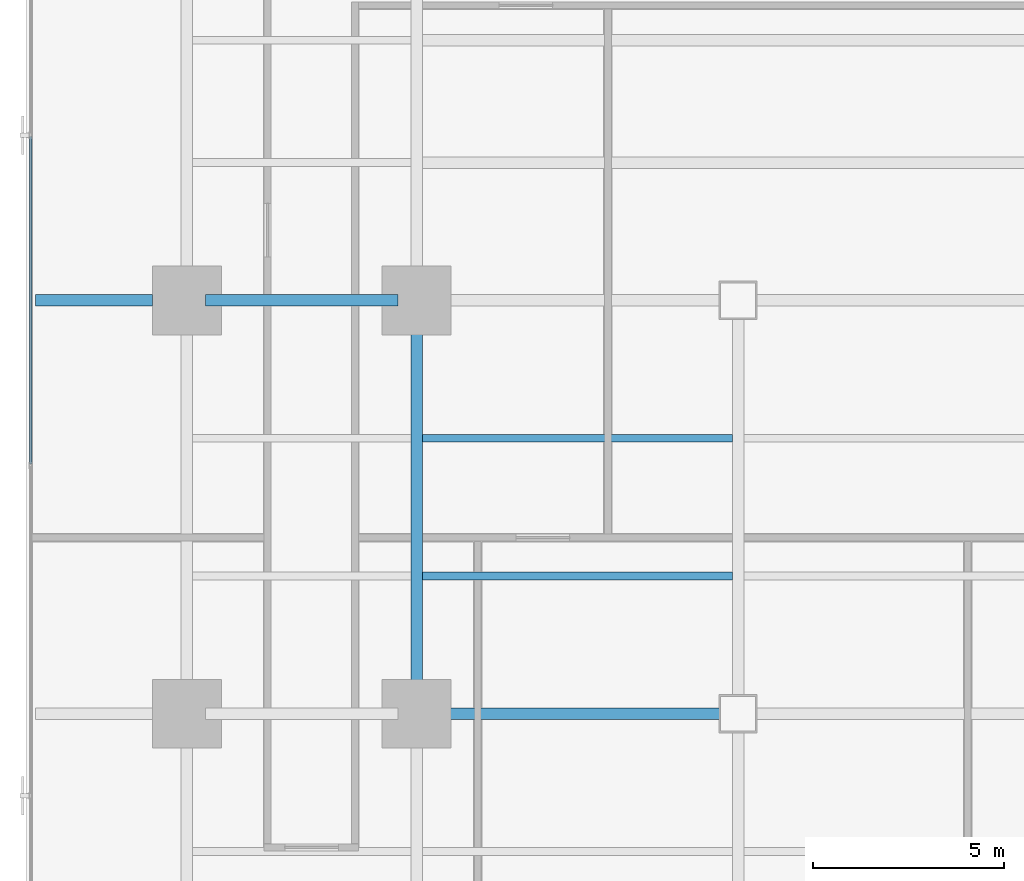
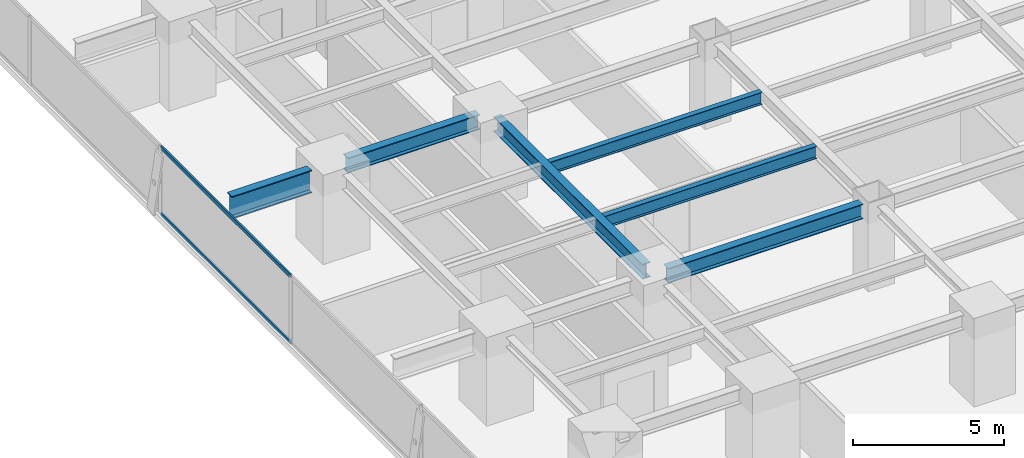
# One storey, part 8 of 33: 6 beams, 2 members, 1 element without a shape of its own.
"""IFC4 building model written with IfcOpenShell, lengths in metres."""

import ifcopenshell
import ifcopenshell.guid

model = None  # the IFC model being written
_history = None  # IfcOwnerHistory: only IFC2X3 demands one
_inside = {}  # id of a spatial element -> (the spatial element, [elements in it])
_under = {}  # id of a project, library or spatial element -> (it, [spatial elements below it])
_declared = {}  # id of a project -> (the project, [libraries it declares])
_typed = {}  # id of a type object -> (the type object, [elements of that type])
_made_of = {}  # id of a material, layer set ... -> (it, [elements and type objects made of it])


def new_model(schema):
    """Start an empty IFC model of exactly this schema.

    Asked for "IFC4X3", IfcOpenShell would pick the latest addendum, in which some entities
    have other attributes; the version numbers below select the first issue.
    IFC2X3 requires an IfcOwnerHistory on every rooted entity: one is made here for all.
    """
    global model, _history
    if schema == "IFC4X3":
        model = ifcopenshell.file(schema_version=(4, 3, 0, 0))
    else:
        model = ifcopenshell.file(schema=schema)
    _inside.clear()
    _under.clear()
    _declared.clear()
    _typed.clear()
    _made_of.clear()
    _history = None
    if model.schema == "IFC2X3":
        org = make("IfcOrganization", Name="unknown")
        user = make(
            "IfcPersonAndOrganization",
            ThePerson=make("IfcPerson", FamilyName="unknown"),
            TheOrganization=org,
        )
        app = make(
            "IfcApplication",
            ApplicationDeveloper=org,
            Version="unknown",
            ApplicationFullName="unknown",
            ApplicationIdentifier="unknown",
        )
        _history = make(
            "IfcOwnerHistory",
            OwningUser=user,
            OwningApplication=app,
            ChangeAction="ADDED",
            CreationDate=0,
        )
    return model


def make(cls, **values):
    """One entity of the class cls with the attributes given. An attribute that is None is left unset."""
    return model.create_entity(
        cls, **{name: value for name, value in values.items() if value is not None}
    )


def rooted(cls, **values):
    """An entity with a GlobalId (a new one), such as an element, a storey or a relation."""
    return make(cls, GlobalId=ifcopenshell.guid.new(), OwnerHistory=_history, **values)


def si_unit(unit_type, name, prefix=None):
    """IfcSIUnit, for example si_unit("LENGTHUNIT", "METRE", prefix="MILLI")."""
    return make("IfcSIUnit", UnitType=unit_type, Prefix=prefix, Name=name)


def assignment(units):
    """IfcUnitAssignment: the units of a project."""
    return None if units is None else make("IfcUnitAssignment", Units=units)


def point(xyz):
    """IfcCartesianPoint."""
    return None if xyz is None else make("IfcCartesianPoint", Coordinates=xyz)


def direction(xyz):
    """IfcDirection."""
    return None if xyz is None else make("IfcDirection", DirectionRatios=xyz)


def frame(location, z_axis=None, x_axis=None):
    """IfcAxis2Placement3D, a coordinate frame: its origin and axes. An axis left out is left unset."""
    return make(
        "IfcAxis2Placement3D",
        Location=point(location),
        Axis=direction(z_axis),
        RefDirection=direction(x_axis),
    )


def frame_2d(location, x_axis=None):
    """IfcAxis2Placement2D, a coordinate frame in the plane: its origin and x axis."""
    return make(
        "IfcAxis2Placement2D", Location=point(location), RefDirection=direction(x_axis)
    )


def origin():
    """The frame at (0, 0, 0) with its axes left unset."""
    return frame((0.0, 0.0, 0.0))


def origin_2d():
    """The frame at (0, 0) in the plane with its x axis left unset."""
    return frame_2d((0.0, 0.0))


def place(relative_to, where):
    """IfcLocalPlacement: puts the frame where relative to a parent placement (None: the world)."""
    return make(
        "IfcLocalPlacement", PlacementRelTo=relative_to, RelativePlacement=where
    )


def context(
    kind, dimensions, precision=None, world=None, true_north=None, identifier=None
):
    """IfcGeometricRepresentationContext, for example the 3D "Model" context."""
    return make(
        "IfcGeometricRepresentationContext",
        ContextIdentifier=identifier,
        ContextType=kind,
        CoordinateSpaceDimension=dimensions,
        Precision=precision,
        WorldCoordinateSystem=world,
        TrueNorth=true_north,
    )


def subcontext(parent, identifier, kind, view, scale=None):
    """IfcGeometricRepresentationSubContext, for example "Body" below "Model"."""
    return make(
        "IfcGeometricRepresentationSubContext",
        ContextIdentifier=identifier,
        ContextType=kind,
        ParentContext=parent,
        TargetScale=scale,
        TargetView=view,
    )


def project(units=None, contexts=None):
    """IfcProject with its units and contexts."""
    return rooted(
        "IfcProject",
        Name="project",
        RepresentationContexts=contexts,
        UnitsInContext=assignment(units),
    )


def spatial(cls, under=None, at=None, **own):
    """A site, building, storey or space (cls), placed at a placement, below another one or the project."""
    s = rooted(cls, ObjectPlacement=at, **own)
    if under is not None:
        _under.setdefault(under.id(), (under, []))[1].append(s)
    return s


def profile(cls, at=None, kind="AREA", **sizes):
    """A parametric profile (cls). Its sizes go by their IFC names, for example OverallWidth=200.0."""
    return make(cls, ProfileType=kind, Position=at, **sizes)


def hollow_rectangle(**sizes):
    """IfcRectangleHollowProfileDef."""
    return profile("IfcRectangleHollowProfileDef", **sizes)


def i_section(**sizes):
    """IfcIShapeProfileDef."""
    return profile("IfcIShapeProfileDef", **sizes)


def extrude(swept, where, along, depth):
    """IfcExtrudedAreaSolid: the profile swept, set in the frame where, extruded along a direction by depth."""
    return make(
        "IfcExtrudedAreaSolid",
        SweptArea=swept,
        Position=where,
        ExtrudedDirection=direction(along),
        Depth=depth,
    )


def shape(context_of_items, identifier, shape_type, items):
    """IfcShapeRepresentation: the items that make up one representation, for example the "Body"."""
    return make(
        "IfcShapeRepresentation",
        ContextOfItems=context_of_items,
        RepresentationIdentifier=identifier,
        RepresentationType=shape_type,
        Items=items,
    )


def source(mapping_origin, context_of_items, identifier, shape_type, items):
    """IfcRepresentationMap: a shape defined once, which mapped items show again and again."""
    return make(
        "IfcRepresentationMap",
        MappingOrigin=mapping_origin,
        MappedRepresentation=shape(context_of_items, identifier, shape_type, items),
    )


def transform(
    local_origin,
    x_axis=None,
    y_axis=None,
    z_axis=None,
    scale=None,
    scale2=None,
    scale3=None,
    uniform=True,
):
    """IfcCartesianTransformationOperator3D, or its non-uniform kind. x_axis, y_axis, z_axis: its Axis1, 2, 3."""
    if uniform:
        return make(
            "IfcCartesianTransformationOperator3D",
            Axis1=direction(x_axis),
            Axis2=direction(y_axis),
            LocalOrigin=point(local_origin),
            Scale=scale,
            Axis3=direction(z_axis),
        )
    return make(
        "IfcCartesianTransformationOperator3DnonUniform",
        Axis1=direction(x_axis),
        Axis2=direction(y_axis),
        LocalOrigin=point(local_origin),
        Scale=scale,
        Axis3=direction(z_axis),
        Scale2=scale2,
        Scale3=scale3,
    )


def mapped(mapping_source, mapping_target):
    """IfcMappedItem: shows the shape of a source again, moved by a transform."""
    return make(
        "IfcMappedItem", MappingSource=mapping_source, MappingTarget=mapping_target
    )


def material(Name=None, Category=None):
    """IfcMaterial."""
    return make("IfcMaterial", Name=Name, Category=Category)


def layer(
    of_material, thickness, ventilated=None, Name=None, Category=None, Priority=None
):
    """IfcMaterialLayer: one layer of a wall or slab, of a material (None: an air gap)."""
    return make(
        "IfcMaterialLayer",
        Material=of_material,
        LayerThickness=thickness,
        IsVentilated=ventilated,
        Name=Name,
        Category=Category,
        Priority=Priority,
    )


def layer_set(layers, Name=None):
    """IfcMaterialLayerSet."""
    return make("IfcMaterialLayerSet", MaterialLayers=layers, LayerSetName=Name)


def material_profile(
    of_material, cross_section, Name=None, Category=None, Priority=None
):
    """IfcMaterialProfile: a cross section and its material."""
    return make(
        "IfcMaterialProfile",
        Name=Name,
        Material=of_material,
        Profile=cross_section,
        Priority=Priority,
        Category=Category,
    )


def profile_set(profiles, Name=None, composite=None):
    """IfcMaterialProfileSet."""
    return make(
        "IfcMaterialProfileSet",
        Name=Name,
        MaterialProfiles=profiles,
        CompositeProfile=composite,
    )


def made_of(thing, what):
    """Note that an element or type object is made of a material, layer set ...; save() writes the relation."""
    if what is not None:
        _made_of.setdefault(what.id(), (what, []))[1].append(thing)
    return thing


def type_object(cls, material=None, **own):
    """A type object (cls), such as IfcWallType, which elements share."""
    return made_of(rooted(cls, **own), material)


def element(
    cls,
    number,
    at=None,
    inside=None,
    cuts=None,
    type_object=None,
    material=None,
    context=None,
    identifier="Body",
    shape_type=None,
    held_by="IfcProductDefinitionShape",
    body=None,
    shapes=None,
    **own,
):
    """One element of the class cls, such as IfcWall. Its Tag is "e" and its number.

    at: its placement. inside: the storey or other place that contains it. cuts: it is an
    opening in that element (IfcRelVoidsElement). A single representation is given by context,
    identifier, shape_type and body (its items); several are given by shapes. held_by: the class
    of the entity that holds the representations. save() writes the other relations.
    """
    e = rooted(cls, Tag="e%d" % number, ObjectPlacement=at, **own)
    if body is not None:
        shapes = [shape(context, identifier, shape_type, body)]
    if shapes is not None:
        e.Representation = make(held_by, Representations=shapes)
    if inside is not None:
        _inside.setdefault(inside.id(), (inside, []))[1].append(e)
    if cuts is not None:
        rooted(
            "IfcRelVoidsElement", RelatingBuildingElement=cuts, RelatedOpeningElement=e
        )
    if type_object is not None:
        _typed.setdefault(type_object.id(), (type_object, []))[1].append(e)
    return made_of(e, material)


def aggregate(whole, parts):
    """IfcRelAggregates: a whole, such as a stair, and the parts it consists of."""
    return rooted("IfcRelAggregates", RelatingObject=whole, RelatedObjects=parts)


def save(model, path):
    """Write the relations noted so far, then the file.

    IfcRelAggregates (storeys below a building ...), IfcRelContainedInSpatialStructure (elements
    in a storey), IfcRelDefinesByType, IfcRelAssociatesMaterial and IfcRelDeclares: one each for
    every whole, place, type object, material and project.
    """
    for whole, parts in _under.values():
        aggregate(whole, parts)
    for where, things in _inside.values():
        rooted(
            "IfcRelContainedInSpatialStructure",
            RelatedElements=things,
            RelatingStructure=where,
        )
    for kind, things in _typed.values():
        rooted("IfcRelDefinesByType", RelatedObjects=things, RelatingType=kind)
    for what, things in _made_of.values():
        rooted("IfcRelAssociatesMaterial", RelatedObjects=things, RelatingMaterial=what)
    for by, libraries in _declared.values():
        rooted("IfcRelDeclares", RelatingContext=by, RelatedDefinitions=libraries)
    model.write(path)


model = new_model("IFC4")

# Units and contexts
model_context = context("Model", 3, precision=1e-05, world=origin(), true_north=direction((0.0, 1.0)))
body_context = subcontext(model_context, "Body", "Model", "MODEL_VIEW")
ifc_project = project(units=[si_unit("LENGTHUNIT", "METRE"), si_unit("AREAUNIT", "SQUARE_METRE"), si_unit("VOLUMEUNIT", "CUBIC_METRE"), si_unit("PLANEANGLEUNIT", "RADIAN"), si_unit("MASSUNIT", "GRAM", prefix="KILO")], contexts=[model_context])

# Site, building, storey
site_placement = place(None, origin())
site = spatial("IfcSite", under=ifc_project, at=site_placement, CompositionType="ELEMENT")
building_placement = place(site_placement, origin())
building = spatial("IfcBuilding", under=site, at=building_placement, Name="Sumidabori Civic Tower", CompositionType="ELEMENT")
storey_placement = place(building_placement, frame((0.0, 0.0, 63.199951171875)))
storey = spatial("IfcBuildingStorey", under=building, at=storey_placement, Name="L16", CompositionType="ELEMENT", Elevation=63.199951171875)

# Beams
ifc_material_1 = material(Name="Steel SN490", Category="steel")
ifc_material_profile_1 = material_profile(ifc_material_1, i_section(OverallWidth=0.300048828125, OverallDepth=0.60009765625, WebThickness=0.015380859375, FlangeThickness=0.030029296875, at=origin_2d()), Name="HE 600 B")
ifc_profile_set_1 = profile_set([ifc_material_profile_1], Name="Steel SN490")
beam_type_1 = type_object("IfcBeamType", Name="BM-GIRD-600", PredefinedType="BEAM", material=ifc_profile_set_1)
shared_shape_1 = source(origin(), body_context, "Body", "SweptSolid", [
    extrude(i_section(OverallWidth=0.300048828125, OverallDepth=0.60009765625, WebThickness=0.015380859375, FlangeThickness=0.030029296875, at=origin_2d()), origin(), (0.0, 0.0, 1.0), 5.0400390625),
])
beam_1_placement = place(storey_placement, frame((-22.320068359375, 0.0, 3.06005859375), z_axis=(1.0, 0.0, 0.0), x_axis=(0.0, 1.0, 0.0)))
element("IfcBeam", 1, at=beam_1_placement, inside=storey, type_object=beam_type_1, Name="Primary Girder L16 GX-13", PredefinedType="BEAM", context=body_context, shape_type="MappedRepresentation", body=[
    mapped(shared_shape_1, transform((0.0, 0.0, 0.0), x_axis=(1.0, 0.0, 0.0), y_axis=(0.0, 1.0, 0.0), z_axis=(0.0, 0.0, 1.0), scale=1.0)),
])
shared_shape_2 = source(origin(), body_context, "Body", "SweptSolid", [
    extrude(i_section(OverallWidth=0.300048828125, OverallDepth=0.60009765625, WebThickness=0.015380859375, FlangeThickness=0.030029296875, at=origin_2d()), origin(), (0.0, 0.0, 1.0), 7.440185546875),
])
beam_2_placement = place(storey_placement, frame((-16.320068359375, -10.800048828125, 3.06005859375), z_axis=(1.0, 0.0, 0.0), x_axis=(0.0, 1.0, 0.0)))
element("IfcBeam", 2, at=beam_2_placement, inside=storey, type_object=beam_type_1, Name="Primary Girder L16 GX-08", PredefinedType="BEAM", context=body_context, shape_type="MappedRepresentation", body=[
    mapped(shared_shape_2, transform((0.0, 0.0, 0.0), x_axis=(1.0, 0.0, 0.0), y_axis=(0.0, 1.0, 0.0), z_axis=(0.0, 0.0, 1.0), scale=1.0)),
])
shared_shape_3 = source(origin(), body_context, "Body", "SweptSolid", [
    extrude(i_section(OverallWidth=0.300048828125, OverallDepth=0.60009765625, WebThickness=0.015380859375, FlangeThickness=0.030029296875, at=origin_2d()), origin(), (0.0, 0.0, 1.0), 9.840087890625),
])
beam_3_placement = place(storey_placement, frame((-16.800048828125, -10.320068359375, 3.06005859375), z_axis=(0.0, 1.0, 0.0), x_axis=(-1.0, 0.0, 0.0)))
element("IfcBeam", 3, at=beam_3_placement, inside=storey, type_object=beam_type_1, Name="Primary Girder L16 GY-26", PredefinedType="BEAM", context=body_context, shape_type="MappedRepresentation", body=[
    mapped(shared_shape_3, transform((0.0, 0.0, 0.0), x_axis=(1.0, 0.0, 0.0), y_axis=(0.0, 1.0, 0.0), z_axis=(0.0, 0.0, 1.0), scale=1.0)),
])
ifc_material_profile_2 = material_profile(ifc_material_1, i_section(OverallWidth=0.302001953125, OverallDepth=0.909912109375, WebThickness=0.02099609375, FlangeThickness=0.0400390625, at=origin_2d()), Name="HE 900 M")
ifc_profile_set_2 = profile_set([ifc_material_profile_2], Name="Steel SN490")
beam_type_2 = type_object("IfcBeamType", Name="BM-Z1-EDGE", PredefinedType="SPANDREL", material=ifc_profile_set_2)
shared_shape_4 = source(origin(), body_context, "Body", "SweptSolid", [
    extrude(i_section(OverallWidth=0.302001953125, OverallDepth=0.909912109375, WebThickness=0.02099609375, FlangeThickness=0.0400390625, at=origin_2d()), origin(), (0.0, 0.0, 1.0), 3.050048828125),
])
beam_4_placement = place(storey_placement, frame((-26.75, 0.0, 2.905029296875), z_axis=(1.0, 0.0, 0.0), x_axis=(0.0, 1.0, 0.0)))
element("IfcBeam", 4, at=beam_4_placement, inside=storey, type_object=beam_type_2, Name="Perimeter Overhang Beam L16 W-46", PredefinedType="SPANDREL", context=body_context, shape_type="MappedRepresentation", body=[
    mapped(shared_shape_4, transform((0.0, 0.0, 0.0), x_axis=(1.0, 0.0, 0.0), y_axis=(0.0, 1.0, 0.0), z_axis=(0.0, 0.0, 1.0), scale=1.0)),
])
ifc_material_profile_3 = material_profile(ifc_material_1, i_section(OverallWidth=0.199951171875, OverallDepth=0.5, WebThickness=0.01025390625, FlangeThickness=0.01611328125, at=origin_2d()), Name="IPE 500")
ifc_profile_set_3 = profile_set([ifc_material_profile_3], Name="Steel SN490")
beam_type_3 = type_object("IfcBeamType", Name="BM-JST-500", PredefinedType="JOIST", material=ifc_profile_set_3)
shared_shape_5 = source(origin(), body_context, "Body", "SweptSolid", [
    extrude(i_section(OverallWidth=0.199951171875, OverallDepth=0.5, WebThickness=0.01025390625, FlangeThickness=0.01611328125, at=origin_2d()), origin(), (0.0, 0.0, 1.0), 8.099853515625),
])
for number, where, z_axis, x_axis, name in (
    (5, (-16.64990234375, -7.199951171875, 3.110107421875), (1.0, 0.0, 0.0), (0.0, 1.0, 0.0), "South Bay Floor Joist L16 JSTS-65"),
    (6, (-16.64990234375, -3.60009765625, 3.110107421875), (1.0, 0.0, 0.0), (0.0, 1.0, 0.0), "South Bay Floor Joist L16 JSTS-69"),
):
    element("IfcBeam", number, at=place(storey_placement, frame(where, z_axis=z_axis, x_axis=x_axis)), inside=storey, type_object=beam_type_3, Name=name, PredefinedType="JOIST", context=body_context, shape_type="MappedRepresentation", body=[
        mapped(shared_shape_5, transform((0.0, 0.0, 0.0), x_axis=(1.0, 0.0, 0.0), y_axis=(0.0, 1.0, 0.0), z_axis=(0.0, 0.0, 1.0), scale=1.0)),
    ])

# Curtain wall, members
ifc_material_2 = material(Name="Anodised Bronze Aluminium AW-6063-T6", Category="aluminium")
ifc_layer = layer(ifc_material_2, 0.179931640625, Name="Anodised Bronze Aluminium AW-6063-T6")
ifc_layer_set = layer_set([ifc_layer], Name="Anodised Bronze Aluminium AW-6063-T6")
curtain_wall_type = type_object("IfcCurtainWallType", Name="CW-SYS-2", PredefinedType="NOTDEFINED", material=ifc_layer_set)
curtain_wall_placement = place(storey_placement, origin())
curtain_wall = element("IfcCurtainWall", 7, at=curtain_wall_placement, inside=storey, type_object=curtain_wall_type, Name="Curtain Wall CW:L16:R10", PredefinedType="NOTDEFINED")
ifc_material_profile_4 = material_profile(ifc_material_2, hollow_rectangle(XDim=0.06494140625, YDim=0.14990234375, WallThickness=0.0048828125, at=origin_2d()), Name="ALU TRANSOM 150x65")
ifc_profile_set_4 = profile_set([ifc_material_profile_4], Name="Anodised Bronze Aluminium AW-6063-T6")
member_type = type_object("IfcMemberType", Name="CW-TRN-150", PredefinedType="USERDEFINED", material=ifc_profile_set_4)
shared_shape_6 = source(origin(), body_context, "Body", "SweptSolid", [
    extrude(hollow_rectangle(XDim=0.06494140625, YDim=0.14990234375, WallThickness=0.0048828125, at=origin_2d()), origin(), (0.0, 0.0, 1.0), 8.55810546875),
])
member_1_placement = place(storey_placement, frame((-26.8798828125, 4.279052734375, 0.032470703125), z_axis=(0.0, -1.0, 0.0), x_axis=(1.0, 0.0, 0.0)))
member_1 = element("IfcMember", 8, at=member_1_placement, type_object=member_type, Name="CW-2 transom 3.1", ObjectType="TRANSOM", PredefinedType="USERDEFINED", context=body_context, shape_type="MappedRepresentation", body=[
    mapped(shared_shape_6, transform((0.0, 0.0, 0.0), x_axis=(1.0, 0.0, 0.0), y_axis=(0.0, 1.0, 0.0), z_axis=(0.0, 0.0, 1.0), scale=1.0)),
])
member_2_placement = place(storey_placement, frame((-26.8798828125, 4.279052734375, 2.70751953125), z_axis=(0.0, -1.0, 0.0), x_axis=(1.0, 0.0, 0.0)))
member_2 = element("IfcMember", 9, at=member_2_placement, type_object=member_type, Name="CW-2 transom 3.2", ObjectType="TRANSOM", PredefinedType="USERDEFINED", context=body_context, shape_type="MappedRepresentation", body=[
    mapped(shared_shape_6, transform((0.0, 0.0, 0.0), x_axis=(1.0, 0.0, 0.0), y_axis=(0.0, 1.0, 0.0), z_axis=(0.0, 0.0, 1.0), scale=1.0)),
])
aggregate(curtain_wall, [member_1, member_2])

save(model, "model.ifc")
